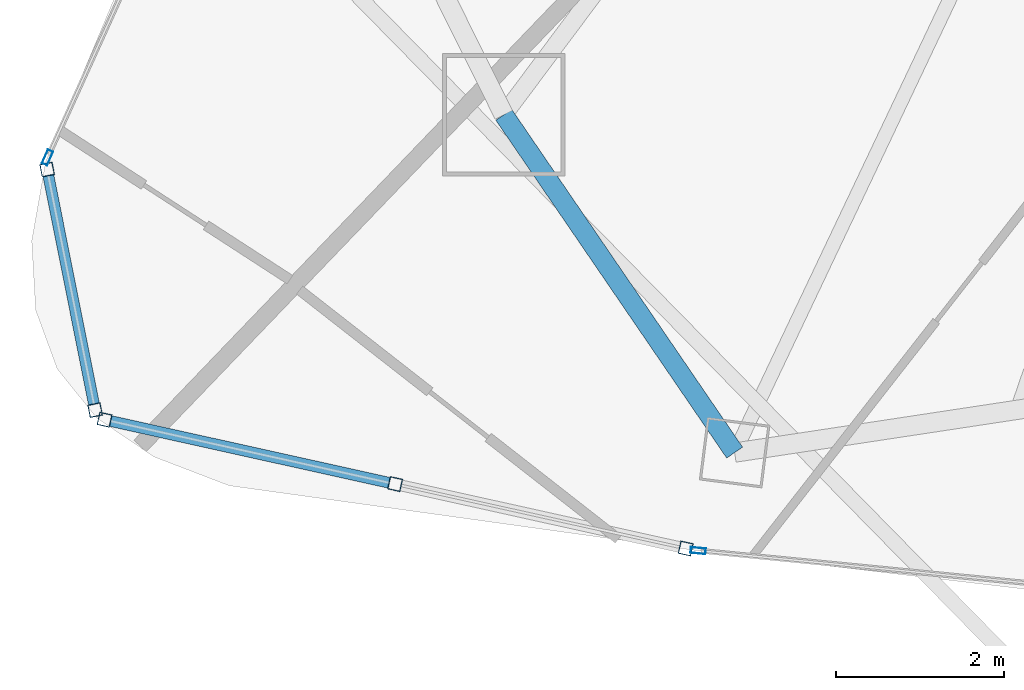
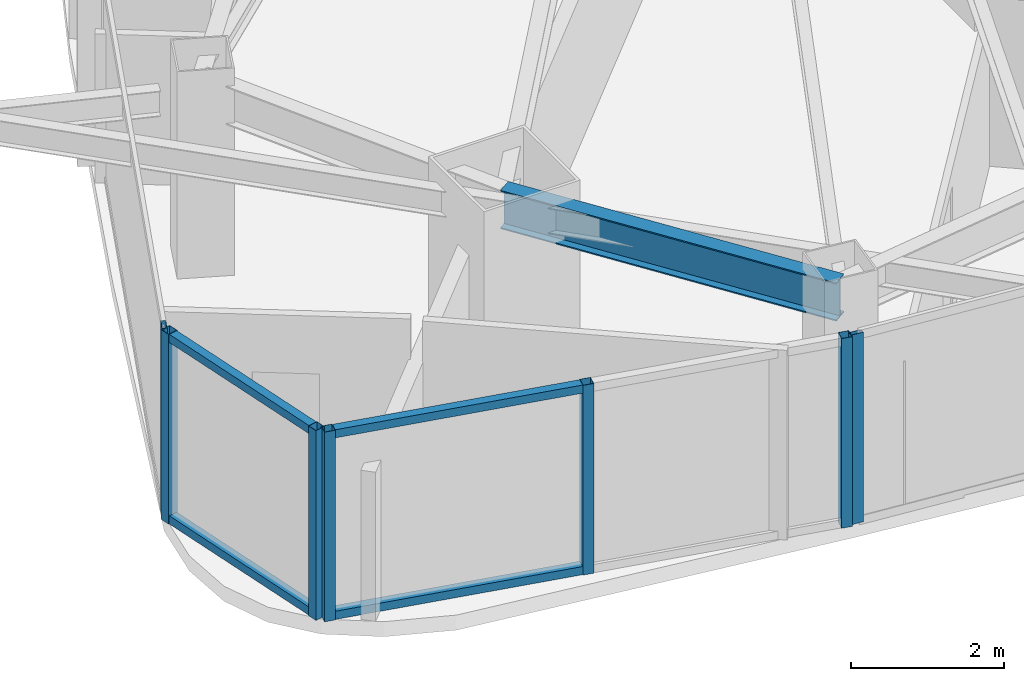
# One storey, part 2 of 31: 11 members, 1 beam, 4 elements without a shape of their own.
"""IFC4 building model written with IfcOpenShell, lengths in metres."""

from ifc_helpers import new_model, si_unit, direction, frame, origin, origin_2d, place, context, subcontext, project, spatial, hollow_rectangle, i_section, extrude, material, layer, layer_set, material_profile, profile_set, type_object, element, aggregate, save


model = new_model("IFC4")

# Units and contexts
model_context = context("Model", 3, precision=1e-05, world=origin(), true_north=direction((0.0, 1.0)))
body_context = subcontext(model_context, "Body", "Model", "MODEL_VIEW")
ifc_project = project(units=[si_unit("LENGTHUNIT", "METRE"), si_unit("AREAUNIT", "SQUARE_METRE"), si_unit("VOLUMEUNIT", "CUBIC_METRE"), si_unit("PLANEANGLEUNIT", "RADIAN"), si_unit("MASSUNIT", "GRAM", prefix="KILO")], contexts=[model_context])

# Site, building, storey
site_placement = place(None, origin())
site = spatial("IfcSite", under=ifc_project, at=site_placement, CompositionType="ELEMENT")
building_placement = place(site_placement, origin())
building = spatial("IfcBuilding", under=site, at=building_placement, Name="Orvanel Arch Residences", CompositionType="ELEMENT")
storey_placement = place(building_placement, frame((0.0, 0.0, 183.64990234375)))
storey = spatial("IfcBuildingStorey", under=building, at=storey_placement, Name="L52", CompositionType="ELEMENT", Elevation=183.64990234375)

# Curtain wall, members
ifc_material_1 = material(Name="Bronze-anodised aluminium AA6063-T6", Category="aluminium")
ifc_layer_1 = layer(ifc_material_1, 0.18994140625)
ifc_layer_set_1 = layer_set([ifc_layer_1], Name="Bronze-anodised aluminium AA6063-T6")
curtain_wall_type_1 = type_object("IfcCurtainWallType", Name="CW5-CRN-SYS", PredefinedType="NOTDEFINED", material=ifc_layer_set_1)
curtain_wall_1_placement = place(storey_placement, origin())
curtain_wall_1 = element("IfcCurtainWall", 1, at=curtain_wall_1_placement, inside=storey, type_object=curtain_wall_type_1, Name="L52 CW5-CRN-SYS Unitised Curtain Wall", PredefinedType="NOTDEFINED")
ifc_material_profile_1 = material_profile(ifc_material_1, hollow_rectangle(XDim=0.14990234375, YDim=0.14990234375, WallThickness=0.0048828125, at=origin_2d()), Name="ALU150x150x5")
ifc_profile_set_1 = profile_set([ifc_material_profile_1], Name="Bronze-anodised aluminium AA6063-T6")
member_type_1 = type_object("IfcMemberType", Name="MUL-150x150", PredefinedType="MULLION", material=ifc_profile_set_1)
member_1_placement = place(storey_placement, frame((8.776611328125, 9.700439453125, 0.0), z_axis=(0.0, 0.0, 1.0), x_axis=(0.980693519169, 0.195551071234, 0.0)))
member_1 = element("IfcMember", 2, at=member_1_placement, type_object=member_type_1, Name="CW-S5 mullion 1", PredefinedType="MULLION", context=body_context, shape_type="SweptSolid", body=[
    extrude(hollow_rectangle(XDim=0.14990234375, YDim=0.14990234375, WallThickness=0.0048828125, at=origin_2d()), origin(), (0.0, 0.0, 1.0), 3.02001953125),
])
member_2_placement = place(storey_placement, frame((9.346435546875, 6.843505859375, 0.0), z_axis=(0.0, 0.0, 1.0), x_axis=(0.980693519169, 0.195551071234, 0.0)))
member_2 = element("IfcMember", 3, at=member_2_placement, type_object=member_type_1, Name="CW-S5 mullion 2", PredefinedType="MULLION", context=body_context, shape_type="SweptSolid", body=[
    extrude(hollow_rectangle(XDim=0.14990234375, YDim=0.14990234375, WallThickness=0.0048828125, at=origin_2d()), origin(), (0.0, 0.0, 1.0), 3.02001953125),
])

curtain_wall_2_placement = place(storey_placement, origin())
curtain_wall_2 = element("IfcCurtainWall", 4, at=curtain_wall_2_placement, inside=storey, type_object=curtain_wall_type_1, Name="L52 CW5-CRN-SYS Unitised Curtain Wall", PredefinedType="NOTDEFINED")
member_3_placement = place(storey_placement, frame((9.458251953125, 6.729736328125, 0.0), z_axis=(0.0, 0.0, 1.0), x_axis=(0.216373070724, 0.976310757016, 0.0)))
member_3 = element("IfcMember", 5, at=member_3_placement, type_object=member_type_1, Name="CW-S5 mullion 1", PredefinedType="MULLION", context=body_context, shape_type="SweptSolid", body=[
    extrude(hollow_rectangle(XDim=0.14990234375, YDim=0.14990234375, WallThickness=0.0048828125, at=origin_2d()), origin(), (0.0, 0.0, 1.0), 3.02001953125),
])
member_4_placement = place(storey_placement, frame((12.908935546875, 5.965087890625, 0.0), z_axis=(0.0, 0.0, 1.0), x_axis=(0.216373070724, 0.976310757016, 0.0)))
member_4 = element("IfcMember", 6, at=member_4_placement, type_object=member_type_1, Name="CW-S5 mullion 2", PredefinedType="MULLION", context=body_context, shape_type="SweptSolid", body=[
    extrude(hollow_rectangle(XDim=0.14990234375, YDim=0.14990234375, WallThickness=0.0048828125, at=origin_2d()), origin(), (0.0, 0.0, 1.0), 3.02001953125),
])
member_5_placement = place(storey_placement, frame((16.35986328125, 5.2001953125, 0.0), z_axis=(0.0, 0.0, 1.0), x_axis=(0.216373070724, 0.976310757016, 0.0)))
member_5 = element("IfcMember", 7, at=member_5_placement, type_object=member_type_1, Name="CW-S5 mullion 3", PredefinedType="MULLION", context=body_context, shape_type="SweptSolid", body=[
    extrude(hollow_rectangle(XDim=0.14990234375, YDim=0.14990234375, WallThickness=0.0048828125, at=origin_2d()), origin(), (0.0, 0.0, 1.0), 3.02001953125),
])

# Curtain wall, member
ifc_layer_2 = layer(ifc_material_1, 0.179931640625)
ifc_layer_set_2 = layer_set([ifc_layer_2], Name="Bronze-anodised aluminium AA6063-T6")
curtain_wall_type_2 = type_object("IfcCurtainWallType", Name="CW3-MID-SYS", PredefinedType="NOTDEFINED", material=ifc_layer_set_2)
curtain_wall_3_placement = place(storey_placement, origin())
curtain_wall_3 = element("IfcCurtainWall", 8, at=curtain_wall_3_placement, inside=storey, type_object=curtain_wall_type_2, Name="L52 CW3-MID-SYS Unitised Curtain Wall", PredefinedType="NOTDEFINED")
ifc_material_profile_2 = material_profile(ifc_material_1, hollow_rectangle(XDim=0.070068359375, YDim=0.179931640625, WallThickness=0.00439453125, at=origin_2d()), Name="ALU180x70x4.5")
ifc_profile_set_2 = profile_set([ifc_material_profile_2], Name="Bronze-anodised aluminium AA6063-T6")
member_type_2 = type_object("IfcMemberType", Name="MUL-180x70", PredefinedType="MULLION", material=ifc_profile_set_2)
member_6_placement = place(storey_placement, frame((8.780517578125, 9.843994140625, 0.0), z_axis=(0.0, 0.0, 1.0), x_axis=(0.910943582501, -0.412530955809, 0.0)))
member_6 = element("IfcMember", 9, at=member_6_placement, type_object=member_type_2, Name="CW-S3 mullion 3", PredefinedType="MULLION", context=body_context, shape_type="SweptSolid", body=[
    extrude(hollow_rectangle(XDim=0.070068359375, YDim=0.179931640625, WallThickness=0.00439453125, at=origin_2d()), origin(), (0.0, 0.0, 1.0), 3.02001953125),
])
aggregate(curtain_wall_3, [member_6])

curtain_wall_4_placement = place(storey_placement, origin())
curtain_wall_4 = element("IfcCurtainWall", 10, at=curtain_wall_4_placement, inside=storey, type_object=curtain_wall_type_2, Name="L52 CW3-MID-SYS Unitised Curtain Wall", PredefinedType="NOTDEFINED")
member_7_placement = place(storey_placement, frame((16.5078125, 5.174560546875, 0.0), z_axis=(0.0, 0.0, 1.0), x_axis=(0.097701556124, 0.995215758482, 0.0)))
member_7 = element("IfcMember", 11, at=member_7_placement, type_object=member_type_2, Name="CW-S3 mullion 1", PredefinedType="MULLION", context=body_context, shape_type="SweptSolid", body=[
    extrude(hollow_rectangle(XDim=0.070068359375, YDim=0.179931640625, WallThickness=0.00439453125, at=origin_2d()), origin(), (0.0, 0.0, 1.0), 3.02001953125),
])
aggregate(curtain_wall_4, [member_7])

# Beam
ifc_material_2 = material(Name="Structural steel AS/NZS 3679.1 Grade 300 (300 MPa)", Category="steel")
ifc_material_profile_3 = material_profile(ifc_material_2, i_section(OverallWidth=0.22900390625, OverallDepth=0.612060546875, WebThickness=0.011962890625, FlangeThickness=0.01953125, at=origin_2d()), Name="610UB125")
ifc_profile_set_3 = profile_set([ifc_material_profile_3], Name="Structural steel AS/NZS 3679.1 Grade 300 (300 MPa)")
beam_type = type_object("IfcBeamType", Name="SP-610UB", PredefinedType="SPANDREL", material=ifc_profile_set_3)
beam_placement = place(storey_placement, frame((14.198974609375, 10.35107421875, 2.714111328125), z_axis=(0.564251579852, -0.825602903722, 0.0), x_axis=(0.825602903722, 0.564251579852, 0.0)))
element("IfcBeam", 12, at=beam_placement, inside=storey, type_object=beam_type, Name="L52 Perimeter Spandrel Beam 03", PredefinedType="SPANDREL", context=body_context, shape_type="SweptSolid", body=[
    extrude(i_section(OverallWidth=0.22900390625, OverallDepth=0.612060546875, WebThickness=0.011962890625, FlangeThickness=0.01953125, at=origin_2d()), origin(), (0.0, 0.0, 1.0), 4.859375),
])

# Member
ifc_material_profile_4 = material_profile(ifc_material_1, hollow_rectangle(XDim=0.1298828125, YDim=0.1298828125, WallThickness=0.00439453125, at=origin_2d()), Name="ALU130x130x4.5")
ifc_profile_set_4 = profile_set([ifc_material_profile_4], Name="Bronze-anodised aluminium AA6063-T6")
member_type_3 = type_object("IfcMemberType", Name="TRN-130x130", PredefinedType="USERDEFINED", material=ifc_profile_set_4)
member_8_placement = place(storey_placement, frame((8.791259765625, 9.626953125, 0.065185546875), z_axis=(0.195606398412, -0.980682485262, 0.0), x_axis=(0.980682485262, 0.195606398412, 0.0)))
member_8 = element("IfcMember", 13, at=member_8_placement, type_object=member_type_3, Name="CW-S5 transom 1.1", ObjectType="TRANSOM", PredefinedType="USERDEFINED", context=body_context, shape_type="SweptSolid", body=[
    extrude(hollow_rectangle(XDim=0.1298828125, YDim=0.1298828125, WallThickness=0.00439453125, at=origin_2d()), origin(), (0.0, 0.0, 1.0), 2.763427734375),
])

member_9_placement = place(storey_placement, frame((8.791259765625, 9.626953125, 2.955078125), z_axis=(0.195606398412, -0.980682485262, 0.0), x_axis=(0.980682485262, 0.195606398412, 0.0)))
member_9 = element("IfcMember", 14, at=member_9_placement, type_object=member_type_3, Name="CW-S5 transom 1.2", ObjectType="TRANSOM", PredefinedType="USERDEFINED", context=body_context, shape_type="SweptSolid", body=[
    extrude(hollow_rectangle(XDim=0.1298828125, YDim=0.1298828125, WallThickness=0.00439453125, at=origin_2d()), origin(), (0.0, 0.0, 1.0), 2.763427734375),
])

aggregate(curtain_wall_1, [member_1, member_2, member_8, member_9])

member_10_placement = place(storey_placement, frame((9.531494140625, 6.713623046875, 0.065185546875), z_axis=(0.976302341234, -0.216411040616, 0.0), x_axis=(0.216411040616, 0.976302341234, 0.0)))
member_10 = element("IfcMember", 15, at=member_10_placement, type_object=member_type_3, Name="CW-S5 transom 1.1", ObjectType="TRANSOM", PredefinedType="USERDEFINED", context=body_context, shape_type="SweptSolid", body=[
    extrude(hollow_rectangle(XDim=0.1298828125, YDim=0.1298828125, WallThickness=0.00439453125, at=origin_2d()), origin(), (0.0, 0.0, 1.0), 3.384521484375),
])

member_11_placement = place(storey_placement, frame((9.531494140625, 6.713623046875, 2.955078125), z_axis=(0.976302341234, -0.216411040616, 0.0), x_axis=(0.216411040616, 0.976302341234, 0.0)))
member_11 = element("IfcMember", 16, at=member_11_placement, type_object=member_type_3, Name="CW-S5 transom 1.2", ObjectType="TRANSOM", PredefinedType="USERDEFINED", context=body_context, shape_type="SweptSolid", body=[
    extrude(hollow_rectangle(XDim=0.1298828125, YDim=0.1298828125, WallThickness=0.00439453125, at=origin_2d()), origin(), (0.0, 0.0, 1.0), 3.384521484375),
])

aggregate(curtain_wall_2, [member_3, member_4, member_5, member_10, member_11])

save(model, "model.ifc")
